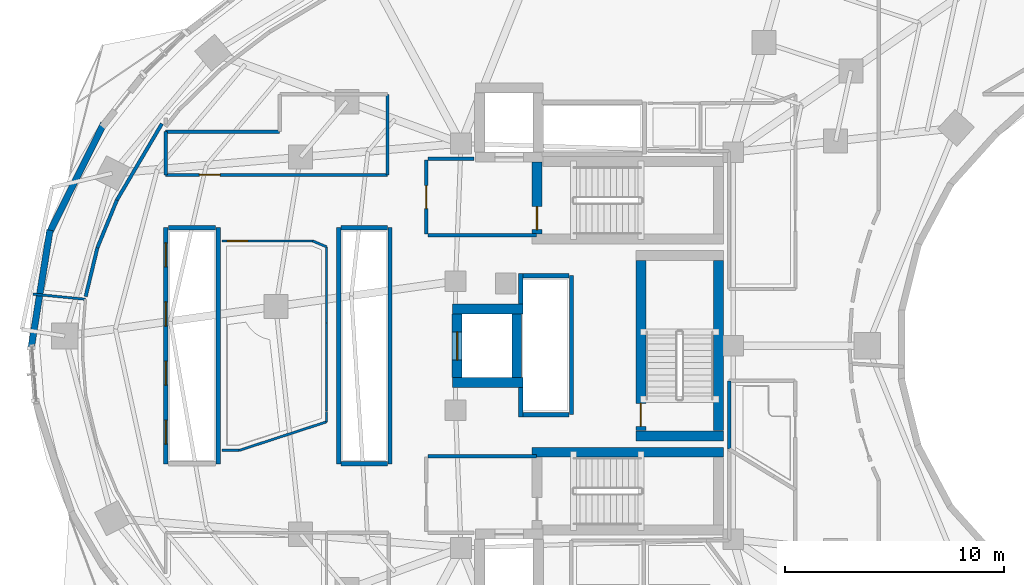
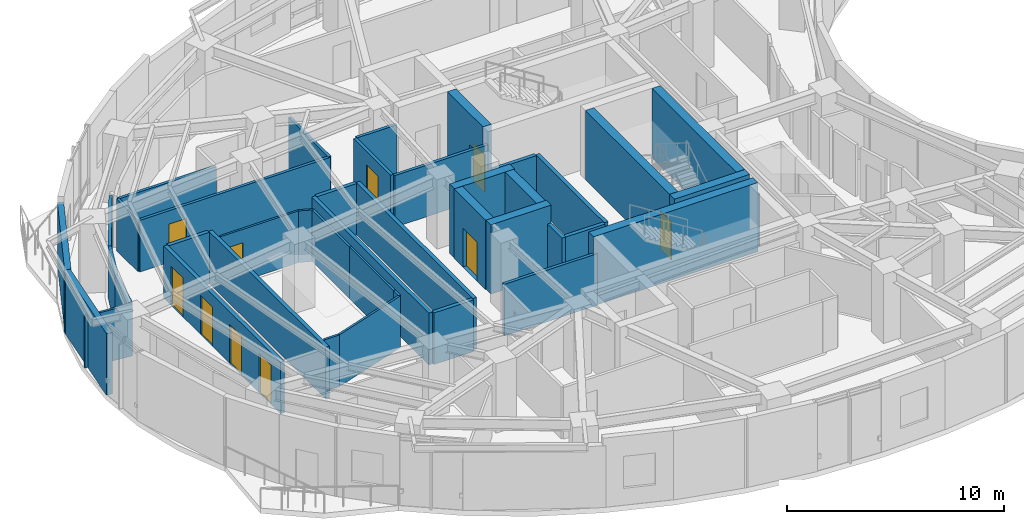
# One storey, part 9 of 15: 43 walls, 10 doors, 10 openings.
"""IFC4 building model written with IfcOpenShell, lengths in metres."""

from ifc_helpers import new_model, si_unit, direction, frame, frame_2d, origin, place, context, subcontext, project, spatial, rectangle, extrude, material, layer, layer_set, type_object, element, fill, save


model = new_model("IFC4")

# Units and contexts
model_context = context("Model", 3, precision=1e-05, world=origin(), true_north=direction((0.0, 1.0)))
body_context = subcontext(model_context, "Body", "Model", "MODEL_VIEW")
ifc_project = project(units=[si_unit("LENGTHUNIT", "METRE"), si_unit("AREAUNIT", "SQUARE_METRE"), si_unit("VOLUMEUNIT", "CUBIC_METRE"), si_unit("PLANEANGLEUNIT", "RADIAN"), si_unit("MASSUNIT", "GRAM", prefix="KILO")], contexts=[model_context])

# Site, building, storey
site_placement = place(None, origin())
site = spatial("IfcSite", under=ifc_project, at=site_placement, CompositionType="ELEMENT")
building_placement = place(site_placement, origin())
building = spatial("IfcBuilding", under=site, at=building_placement, Name="Korentha Bioscience Tower", CompositionType="ELEMENT")
storey_placement = place(building_placement, frame((0.0, 0.0, 98.39990234375)))
storey = spatial("IfcBuildingStorey", under=building, at=storey_placement, Name="L22", CompositionType="ELEMENT", Elevation=98.39990234375)

# Wall, opening, door
ifc_material_1 = material(Name="Double-Stud Acoustic Gypsum", Category="gypsum")
ifc_layer_1 = layer(ifc_material_1, 0.14990234375, Name="Double-Stud Acoustic Gypsum")
ifc_layer_set_1 = layer_set([ifc_layer_1], Name="Double-Stud Acoustic Gypsum (IW-L150)")
wall_type_1 = type_object("IfcWallType", Name="Acoustic Laboratory Partition Wall 150", PredefinedType="PARTITIONING", material=ifc_layer_set_1)
wall_1_placement = place(storey_placement, frame((21.739990234375, 34.81005859375, 0.0), z_axis=(0.0, 0.0, 1.0), x_axis=(-1.0, 0.0, 0.0)))
wall_1 = element("IfcWall", 1, at=wall_1_placement, inside=storey, type_object=wall_type_1, Name="L22 Epidemiology Modelling Studio 10 Entrance Wall", PredefinedType="PARTITIONING", context=body_context, shape_type="SweptSolid", body=[
    extrude(rectangle(XDim=10.14990234375, YDim=0.14990234375, at=frame_2d((5.074951171875, 0.0))), origin(), (0.0, 0.0, 1.0), 2.91015625),
])
opening_1_placement = place(wall_1_placement, frame((7.66162109375, 0.0, 0.0)))
opening_1 = element("IfcOpeningElement", 2, at=opening_1_placement, cuts=wall_1, Name="Opening ID-10R", PredefinedType="OPENING", context=body_context, shape_type="SweptSolid", body=[
    extrude(rectangle(XDim=0.949951171875, YDim=2.14990234375, at=frame_2d((0.47509765625, 1.074951171875))), frame((0.0, 0.08984375, 0.0), z_axis=(0.0, -1.0, 0.0), x_axis=(1.0, 0.0, 0.0)), (0.0, 0.0, 1.0), 0.1796875),
])
ifc_material_2 = material(Name="Phenolic Laminate Timber Core", Category="wood")
door_type_1 = type_object("IfcDoorType", Name="Laboratory Single Leaf Door 950x2150 Right", OperationType="SINGLE_SWING_RIGHT", PredefinedType="DOOR", material=ifc_material_2)
door_1_placement = place(opening_1_placement, origin())
door_1 = element("IfcDoor", 3, at=door_1_placement, inside=storey, type_object=door_type_1, Name="L22 Epidemiology Modelling Studio 10 Door", OperationType="SINGLE_SWING_RIGHT", OverallHeight=2.14990234375, OverallWidth=0.949951171875, PredefinedType="DOOR", context=body_context, shape_type="SweptSolid", body=[
    extrude(rectangle(XDim=0.949951171875, YDim=2.14990234375, at=frame_2d((0.47509765625, 1.074951171875))), frame((0.0, 0.02490234375, 0.0), z_axis=(0.0, -1.0, 0.0), x_axis=(1.0, 0.0, 0.0)), (0.0, 0.0, 1.0), 0.050048828125),
])
fill(opening_1, door_1)

# Walls
wall_2_placement = place(storey_placement, frame((21.739990234375, 38.498046875, 0.0), z_axis=(0.0, 0.0, 1.0), x_axis=(0.0, -1.0, 0.0)))
element("IfcWall", 4, at=wall_2_placement, inside=storey, type_object=wall_type_1, Name="L22 Interior Partition 082", PredefinedType="PARTITIONING", context=body_context, shape_type="SweptSolid", body=[
    extrude(rectangle(XDim=3.68798828125, YDim=0.14990234375, at=frame_2d((1.843994140625, 0.0))), origin(), (0.0, 0.0, 1.0), 2.91015625),
])
wall_3_placement = place(storey_placement, frame((11.590087890625, 34.81005859375, 0.0), z_axis=(0.0, 0.0, 1.0), x_axis=(0.0, 1.0, 0.0)))
element("IfcWall", 5, at=wall_3_placement, inside=storey, type_object=wall_type_1, Name="L22 Interior Partition 083", PredefinedType="PARTITIONING", context=body_context, shape_type="SweptSolid", body=[
    extrude(rectangle(XDim=1.97998046875, YDim=0.14990234375, at=frame_2d((0.989990234375, 0.0))), origin(), (0.0, 0.0, 1.0), 2.91015625),
])
wall_4_placement = place(storey_placement, frame((11.590087890625, 36.7900390625, 0.0), z_axis=(0.0, 0.0, 1.0), x_axis=(1.0, 0.0, 0.0)))
element("IfcWall", 6, at=wall_4_placement, inside=storey, type_object=wall_type_1, Name="L22 Interior Partition 084", PredefinedType="PARTITIONING", context=body_context, shape_type="SweptSolid", body=[
    extrude(rectangle(XDim=5.2099609375, YDim=0.14990234375, at=frame_2d((2.60498046875, 0.0))), origin(), (0.0, 0.0, 1.0), 2.91015625),
])

# Wall, opening, door
ifc_material_3 = material(Name="Fire-Rated Framed Glass", Category="glass")
ifc_layer_2 = layer(ifc_material_3, 0.110107421875, Name="Fire-Rated Framed Glass")
ifc_layer_set_2 = layer_set([ifc_layer_2], Name="Fire-Rated Framed Glass (IW-G110)")
wall_type_2 = type_object("IfcWallType", Name="Demountable Glazed Office Partition 110", PredefinedType="MOVABLE", material=ifc_layer_set_2)
wall_5_placement = place(storey_placement, frame((14.159912109375, 31.7900390625, 0.0), z_axis=(0.0, 0.0, 1.0), x_axis=(1.0, 0.0, 0.0)))
wall_5 = element("IfcWall", 7, at=wall_5_placement, inside=storey, type_object=wall_type_2, Name="L22 Senior Scientist Corner Office 11 Entrance Wall", PredefinedType="MOVABLE", context=body_context, shape_type="SweptSolid", body=[
    extrude(rectangle(XDim=4.158203125, YDim=0.110107421875, at=frame_2d((2.0791015625, 0.0))), origin(), (0.0, 0.0, 1.0), 2.91015625),
])
opening_2_placement = place(wall_5_placement, frame((0.239990234375, 0.0, 0.0)))
opening_2 = element("IfcOpeningElement", 8, at=opening_2_placement, cuts=wall_5, Name="Opening ID-10L", PredefinedType="OPENING", context=body_context, shape_type="SweptSolid", body=[
    extrude(rectangle(XDim=0.949951171875, YDim=2.14990234375, at=frame_2d((0.47509765625, 1.074951171875))), frame((0.0, 0.06982421875, 0.0), z_axis=(0.0, -1.0, 0.0), x_axis=(1.0, 0.0, 0.0)), (0.0, 0.0, 1.0), 0.139892578125),
])
door_type_2 = type_object("IfcDoorType", Name="Laboratory Single Leaf Door 950x2150 Left", OperationType="SINGLE_SWING_LEFT", PredefinedType="DOOR", material=ifc_material_2)
door_2_placement = place(opening_2_placement, origin())
door_2 = element("IfcDoor", 9, at=door_2_placement, inside=storey, type_object=door_type_2, Name="L22 Senior Scientist Corner Office 11 Door", OperationType="SINGLE_SWING_LEFT", OverallHeight=2.14990234375, OverallWidth=0.949951171875, PredefinedType="DOOR", context=body_context, shape_type="SweptSolid", body=[
    extrude(rectangle(XDim=0.949951171875, YDim=2.14990234375, at=frame_2d((0.47509765625, 1.074951171875))), frame((0.0, 0.02490234375, 0.0), z_axis=(0.0, -1.0, 0.0), x_axis=(1.0, 0.0, 0.0)), (0.0, 0.0, 1.0), 0.050048828125),
])
fill(opening_2, door_2)

# Walls
wall_6_placement = place(storey_placement, frame((5.521484375, 29.359619140625, 0.0), z_axis=(0.0, 0.0, 1.0), x_axis=(0.99523083929, -0.097547816614, 0.0)))
element("IfcWall", 10, at=wall_6_placement, inside=storey, type_object=wall_type_2, Name="L22 Interior Partition 019", PredefinedType="MOVABLE", context=body_context, shape_type="SweptSolid", body=[
    extrude(rectangle(XDim=2.41015625, YDim=0.110107421875, at=frame_2d((1.205078125, 0.0))), origin(), (0.0, 0.0, 1.0), 2.91015625),
])
wall_7_placement = place(storey_placement, frame((18.318115234375, 31.7900390625, 0.0), z_axis=(0.0, 0.0, 1.0), x_axis=(0.920523463189, -0.390687283795, 0.0)))
element("IfcWall", 11, at=wall_7_placement, inside=storey, type_object=wall_type_2, Name="L22 Interior Partition 087", PredefinedType="MOVABLE", context=body_context, shape_type="SweptSolid", body=[
    extrude(rectangle(XDim=0.684326171875, YDim=0.110107421875, at=frame_2d((0.34228515625, 0.0))), origin(), (0.0, 0.0, 1.0), 2.91015625),
])
wall_8_placement = place(storey_placement, frame((18.947998046875, 31.5224609375, 0.0), z_axis=(0.0, 0.0, 1.0), x_axis=(0.0, -1.0, 0.0)))
element("IfcWall", 12, at=wall_8_placement, inside=storey, type_object=wall_type_2, Name="L22 Interior Partition 088", PredefinedType="MOVABLE", context=body_context, shape_type="SweptSolid", body=[
    extrude(rectangle(XDim=3.47509765625, YDim=0.110107421875, at=frame_2d((1.737548828125, 0.0))), origin(), (0.0, 0.0, 1.0), 2.91015625),
])
wall_9_placement = place(storey_placement, frame((18.947998046875, 28.04296875, 0.0), z_axis=(0.0, 0.0, 1.0), x_axis=(0.0, -1.0, 0.0)))
element("IfcWall", 13, at=wall_9_placement, inside=storey, type_object=wall_type_2, Name="L22 Interior Partition 089", PredefinedType="MOVABLE", context=body_context, shape_type="SweptSolid", body=[
    extrude(rectangle(XDim=4.040771484375, YDim=0.110107421875, at=frame_2d((2.0205078125, 0.0))), origin(), (0.0, 0.0, 1.0), 2.91015625),
])
wall_10_placement = place(storey_placement, frame((18.947998046875, 23.997802734375, 0.0), z_axis=(0.0, 0.0, 1.0), x_axis=(0.0, -1.0, 0.0)))
element("IfcWall", 14, at=wall_10_placement, inside=storey, type_object=wall_type_2, Name="L22 Interior Partition 090", PredefinedType="MOVABLE", context=body_context, shape_type="SweptSolid", body=[
    extrude(rectangle(XDim=0.479736328125, YDim=0.110107421875, at=frame_2d((0.23974609375, 0.0))), origin(), (0.0, 0.0, 1.0), 2.91015625),
])
wall_11_placement = place(storey_placement, frame((18.947998046875, 23.517822265625, 0.0), z_axis=(0.0, 0.0, 1.0), x_axis=(-0.950522660163, -0.31065523095, 0.0)))
element("IfcWall", 15, at=wall_11_placement, inside=storey, type_object=wall_type_2, Name="L22 Interior Partition 091", PredefinedType="MOVABLE", context=body_context, shape_type="SweptSolid", body=[
    extrude(rectangle(XDim=4.2099609375, YDim=0.110107421875, at=frame_2d((2.10498046875, 0.0))), origin(), (0.0, 0.0, 1.0), 2.91015625),
])
wall_12_placement = place(storey_placement, frame((14.9462890625, 22.2099609375, 0.0), z_axis=(0.0, 0.0, 1.0), x_axis=(-1.0, 0.0, 0.0)))
element("IfcWall", 16, at=wall_12_placement, inside=storey, type_object=wall_type_2, Name="L22 Interior Partition 092", PredefinedType="MOVABLE", context=body_context, shape_type="SweptSolid", body=[
    extrude(rectangle(XDim=0.786376953125, YDim=0.110107421875, at=frame_2d((0.39306640625, 0.0))), origin(), (0.0, 0.0, 1.0), 2.91015625),
])

# Wall, opening, door
ifc_material_4 = material(Name="Gypsum-Clad Steel Stud", Category="steel")
ifc_layer_3 = layer(ifc_material_4, 0.159912109375, Name="Gypsum-Clad Steel Stud")
ifc_layer_set_3 = layer_set([ifc_layer_3], Name="Gypsum-Clad Steel Stud (IW-C160)")
wall_type_3 = type_object("IfcWallType", Name="Fire-Rated Corridor Partition Wall 160", PredefinedType="PARTITIONING", material=ifc_layer_set_3)
wall_13_placement = place(storey_placement, frame((23.5, 32.10009765625, 0.0), z_axis=(0.0, 0.0, 1.0), x_axis=(0.0, 1.0, 0.0)))
wall_13 = element("IfcWall", 17, at=wall_13_placement, inside=storey, type_object=wall_type_3, Name="L22 FFLN-CW Rated Enclosure Wall", PredefinedType="PARTITIONING", context=body_context, shape_type="SweptSolid", body=[
    extrude(rectangle(XDim=3.39990234375, YDim=0.159912109375, at=frame_2d((1.699951171875, 0.0))), origin(), (0.0, 0.0, 1.0), 2.91015625),
])
opening_3_placement = place(wall_13_placement, frame((1.175048828125, 0.0, 0.0)))
opening_3 = element("IfcOpeningElement", 18, at=opening_3_placement, cuts=wall_13, Name="Opening FD-90L", PredefinedType="OPENING", context=body_context, shape_type="SweptSolid", body=[
    extrude(rectangle(XDim=1.050048828125, YDim=2.14990234375, at=frame_2d((0.52490234375, 1.074951171875))), frame((0.0, 0.0947265625, 0.0), z_axis=(0.0, -1.0, 0.0), x_axis=(1.0, 0.0, 0.0)), (0.0, 0.0, 1.0), 0.189697265625),
])
ifc_material_5 = material(Name="Powder-Coated Fire-Rated Steel", Category="steel")
door_type_3 = type_object("IfcDoorType", Name="Stairwell Fire Exit Door 1050x2150 Left", OperationType="SINGLE_SWING_LEFT", PredefinedType="DOOR", material=ifc_material_5)
door_3_placement = place(opening_3_placement, origin())
door_3 = element("IfcDoor", 19, at=door_3_placement, inside=storey, type_object=door_type_3, Name="L22 North Firefighting Lobby Door", OperationType="SINGLE_SWING_LEFT", OverallHeight=2.14990234375, OverallWidth=1.050048828125, PredefinedType="DOOR", context=body_context, shape_type="SweptSolid", body=[
    extrude(rectangle(XDim=1.050048828125, YDim=2.14990234375, at=frame_2d((0.52490234375, 1.074951171875))), frame((0.0, 0.02490234375, 0.0), z_axis=(0.0, -1.0, 0.0), x_axis=(1.0, 0.0, 0.0)), (0.0, 0.0, 1.0), 0.050048828125),
])
fill(opening_3, door_3)

# Walls
wall_14_placement = place(storey_placement, frame((23.580078125, 32.050048828125, 0.0), z_axis=(0.0, 0.0, 1.0), x_axis=(1.0, 0.0, 0.0)))
element("IfcWall", 20, at=wall_14_placement, inside=storey, type_object=wall_type_3, Name="L22 Firefighting Lobby Return Wall FFLN-S", PredefinedType="PARTITIONING", context=body_context, shape_type="SweptSolid", body=[
    extrude(rectangle(XDim=4.969970703125, YDim=0.159912109375, at=frame_2d((2.48486328125, 0.0))), origin(), (0.0, 0.0, 1.0), 2.91015625),
])
wall_15_placement = place(storey_placement, frame((23.580078125, 35.550048828125, 0.0), z_axis=(0.0, 0.0, 1.0), x_axis=(1.0, 0.0, 0.0)))
element("IfcWall", 21, at=wall_15_placement, inside=storey, type_object=wall_type_3, Name="L22 Firefighting Lobby Return Wall FFLN-N", PredefinedType="PARTITIONING", context=body_context, shape_type="SweptSolid", body=[
    extrude(rectangle(XDim=2.119873046875, YDim=0.159912109375, at=frame_2d((1.06005859375, 0.0))), origin(), (0.0, 0.0, 1.0), 2.91015625),
])
wall_16_placement = place(storey_placement, frame((23.580078125, 21.949951171875, 0.0), z_axis=(0.0, 0.0, 1.0), x_axis=(1.0, 0.0, 0.0)))
element("IfcWall", 22, at=wall_16_placement, inside=storey, type_object=wall_type_3, Name="L22 Firefighting Lobby Return Wall FFLS-N", PredefinedType="PARTITIONING", context=body_context, shape_type="SweptSolid", body=[
    extrude(rectangle(XDim=4.969970703125, YDim=0.159912109375, at=frame_2d((2.48486328125, 0.0))), origin(), (0.0, 0.0, 1.0), 2.91015625),
])
wall_17_placement = place(storey_placement, frame((37.360107421875, 22.275634765625, 0.0), z_axis=(0.0, 0.0, 1.0), x_axis=(0.0, 1.0, 0.0)))
element("IfcWall", 23, at=wall_17_placement, inside=storey, type_object=wall_type_3, Name="L22 Interior Partition 051", PredefinedType="PARTITIONING", context=body_context, shape_type="SweptSolid", body=[
    extrude(rectangle(XDim=3.1142578125, YDim=0.159912109375, at=frame_2d((1.55712890625, 0.0))), origin(), (0.0, 0.0, 1.0), 2.91015625),
])
wall_18_placement = place(storey_placement, frame((11.418701171875, 37.154296875, 0.0), z_axis=(0.0, 0.0, 1.0), x_axis=(-0.508183269016, -0.861248956511, 0.0)))
element("IfcWall", 24, at=wall_18_placement, inside=storey, type_object=wall_type_3, Name="L22 Interior Partition 078", PredefinedType="PARTITIONING", context=body_context, shape_type="SweptSolid", body=[
    extrude(rectangle(XDim=4.052734375, YDim=0.159912109375, at=frame_2d((2.0263671875, 0.0))), origin(), (0.0, 0.0, 1.0), 2.91015625),
])
wall_19_placement = place(storey_placement, frame((9.3583984375, 33.66259765625, 0.0), z_axis=(0.0, 0.0, 1.0), x_axis=(-0.378306283753, -0.925680482495, 0.0)))
element("IfcWall", 25, at=wall_19_placement, inside=storey, type_object=wall_type_3, Name="L22 Interior Partition 079", PredefinedType="PARTITIONING", context=body_context, shape_type="SweptSolid", body=[
    extrude(rectangle(XDim=2.358154296875, YDim=0.159912109375, at=frame_2d((1.17919921875, 0.0))), origin(), (0.0, 0.0, 1.0), 2.91015625),
])
wall_20_placement = place(storey_placement, frame((8.4658203125, 31.478515625, 0.0), z_axis=(0.0, 0.0, 1.0), x_axis=(-0.233675196412, -0.972314713754, 0.0)))
element("IfcWall", 26, at=wall_20_placement, inside=storey, type_object=wall_type_3, Name="L22 Interior Partition 080", PredefinedType="PARTITIONING", context=body_context, shape_type="SweptSolid", body=[
    extrude(rectangle(XDim=2.291259765625, YDim=0.159912109375, at=frame_2d((1.1455078125, 0.0))), origin(), (0.0, 0.0, 1.0), 2.91015625),
])
ifc_material_6 = material(Name="Honed Limestone Precast Concrete C40", Category="masonry")
ifc_layer_4 = layer(ifc_material_6, 0.300048828125, Name="Honed Limestone Precast Concrete C40")
ifc_layer_set_4 = layer_set([ifc_layer_4], Name="Honed Limestone Precast Concrete C40 (EW-ST300)")
wall_type_4 = type_object("IfcWallType", Name="Honed Limestone Cavity Spandrel Wall 300", PredefinedType="STANDARD", material=ifc_layer_set_4)
wall_21_placement = place(storey_placement, frame((8.757568359375, 37.16259765625, 0.0), z_axis=(0.0, 0.0, 1.0), x_axis=(-0.445298052399, -0.895382401284, 0.0)))
element("IfcWall", 27, at=wall_21_placement, inside=storey, type_object=wall_type_4, Name="L22 Limestone Perimeter Closure Wall 15", PredefinedType="STANDARD", context=body_context, shape_type="SweptSolid", body=[
    extrude(rectangle(XDim=5.661865234375, YDim=0.300048828125, at=frame_2d((2.8310546875, 0.0))), origin(), (0.0, 0.0, 1.0), 3.47021484375),
])
wall_22_placement = place(storey_placement, frame((6.29736328125, 32.2841796875, 0.0), z_axis=(0.0, 0.0, 1.0), x_axis=(-0.157279785013, -0.987554084203, 0.0)))
element("IfcWall", 28, at=wall_22_placement, inside=storey, type_object=wall_type_4, Name="L22 Limestone Perimeter Closure Wall 17", PredefinedType="STANDARD", context=body_context, shape_type="SweptSolid", body=[
    extrude(rectangle(XDim=5.453125, YDim=0.300048828125, at=frame_2d((2.7265625, 0.0))), origin(), (0.0, 0.0, 1.0), 3.47021484375),
])

# Wall, openings, doors
ifc_material_7 = material(Name="Autoclaved Aerated Concrete Block C25", Category="concrete")
ifc_layer_5 = layer(ifc_material_7, 0.199951171875, Name="Autoclaved Aerated Concrete Block C25")
ifc_layer_set_5 = layer_set([ifc_layer_5], Name="Autoclaved Aerated Concrete Block C25 (IW-S200)")
wall_type_5 = type_object("IfcWallType", Name="Lift and Riser Shaft Enclosure Wall 200", PredefinedType="PARTITIONING", material=ifc_layer_set_5)
wall_23_placement = place(storey_placement, frame((11.60009765625, 21.60009765625, 0.0), z_axis=(0.0, 0.0, 1.0), x_axis=(0.0, 1.0, 0.0)))
wall_23 = element("IfcWall", 29, at=wall_23_placement, inside=storey, type_object=wall_type_5, Name="L22 Lift Bank LOW Shaft Wall -X", PredefinedType="PARTITIONING", context=body_context, shape_type="SweptSolid", body=[
    extrude(rectangle(XDim=10.7998046875, YDim=0.199951171875, at=frame_2d((5.39990234375, 0.0))), origin(), (0.0, 0.0, 1.0), 2.91015625),
])
opening_4_placement = place(wall_23_placement, frame((0.89990234375, 0.0, 0.0)))
opening_4 = element("IfcOpeningElement", 30, at=opening_4_placement, cuts=wall_23, Name="Opening LD-11", PredefinedType="OPENING", context=body_context, shape_type="SweptSolid", body=[
    extrude(rectangle(XDim=1.10009765625, YDim=2.199951171875, at=frame_2d((0.550048828125, 1.10009765625))), frame((0.0, 0.11474609375, 0.0), z_axis=(0.0, -1.0, 0.0), x_axis=(1.0, 0.0, 0.0)), (0.0, 0.0, 1.0), 0.229736328125),
])
opening_5_placement = place(wall_23_placement, frame((3.60009765625, 0.0, 0.0)))
opening_5 = element("IfcOpeningElement", 31, at=opening_5_placement, cuts=wall_23, Name="Opening LD-11", PredefinedType="OPENING", context=body_context, shape_type="SweptSolid", body=[
    extrude(rectangle(XDim=1.10009765625, YDim=2.199951171875, at=frame_2d((0.550048828125, 1.10009765625))), frame((0.0, 0.11474609375, 0.0), z_axis=(0.0, -1.0, 0.0), x_axis=(1.0, 0.0, 0.0)), (0.0, 0.0, 1.0), 0.229736328125),
])
opening_6_placement = place(wall_23_placement, frame((6.300048828125, 0.0, 0.0)))
opening_6 = element("IfcOpeningElement", 32, at=opening_6_placement, cuts=wall_23, Name="Opening LD-11", PredefinedType="OPENING", context=body_context, shape_type="SweptSolid", body=[
    extrude(rectangle(XDim=1.10009765625, YDim=2.199951171875, at=frame_2d((0.550048828125, 1.10009765625))), frame((0.0, 0.11474609375, 0.0), z_axis=(0.0, -1.0, 0.0), x_axis=(1.0, 0.0, 0.0)), (0.0, 0.0, 1.0), 0.229736328125),
])
opening_7_placement = place(wall_23_placement, frame((9.0, 0.0, 0.0)))
opening_7 = element("IfcOpeningElement", 33, at=opening_7_placement, cuts=wall_23, Name="Opening LD-11", PredefinedType="OPENING", context=body_context, shape_type="SweptSolid", body=[
    extrude(rectangle(XDim=1.10009765625, YDim=2.199951171875, at=frame_2d((0.550048828125, 1.10009765625))), frame((0.0, 0.11474609375, 0.0), z_axis=(0.0, -1.0, 0.0), x_axis=(1.0, 0.0, 0.0)), (0.0, 0.0, 1.0), 0.229736328125),
])
ifc_material_8 = material(Name="Brushed Stainless Steel 304", Category="steel")
door_type_4 = type_object("IfcDoorType", Name="Passenger Lift Sliding Landing Door 1100x2200", OperationType="DOUBLE_DOOR_SLIDING", PredefinedType="DOOR", material=ifc_material_8)
door_4_placement = place(opening_4_placement, origin())
door_4 = element("IfcDoor", 34, at=door_4_placement, inside=storey, type_object=door_type_4, Name="L22 PL-L1 Sliding Lift Landing Door", OperationType="DOUBLE_DOOR_SLIDING", OverallHeight=2.199951171875, OverallWidth=1.10009765625, PredefinedType="DOOR", context=body_context, shape_type="SweptSolid", body=[
    extrude(rectangle(XDim=1.10009765625, YDim=2.199951171875, at=frame_2d((0.550048828125, 1.10009765625))), frame((0.0, 0.02490234375, 0.0), z_axis=(0.0, -1.0, 0.0), x_axis=(1.0, 0.0, 0.0)), (0.0, 0.0, 1.0), 0.050048828125),
])
fill(opening_4, door_4)
door_5_placement = place(opening_5_placement, origin())
door_5 = element("IfcDoor", 35, at=door_5_placement, inside=storey, type_object=door_type_4, Name="L22 PL-L2 Sliding Lift Landing Door", OperationType="DOUBLE_DOOR_SLIDING", OverallHeight=2.199951171875, OverallWidth=1.10009765625, PredefinedType="DOOR", context=body_context, shape_type="SweptSolid", body=[
    extrude(rectangle(XDim=1.10009765625, YDim=2.199951171875, at=frame_2d((0.550048828125, 1.10009765625))), frame((0.0, 0.02490234375, 0.0), z_axis=(0.0, -1.0, 0.0), x_axis=(1.0, 0.0, 0.0)), (0.0, 0.0, 1.0), 0.050048828125),
])
fill(opening_5, door_5)
door_6_placement = place(opening_6_placement, origin())
door_6 = element("IfcDoor", 36, at=door_6_placement, inside=storey, type_object=door_type_4, Name="L22 PL-L3 Sliding Lift Landing Door", OperationType="DOUBLE_DOOR_SLIDING", OverallHeight=2.199951171875, OverallWidth=1.10009765625, PredefinedType="DOOR", context=body_context, shape_type="SweptSolid", body=[
    extrude(rectangle(XDim=1.10009765625, YDim=2.199951171875, at=frame_2d((0.550048828125, 1.10009765625))), frame((0.0, 0.02490234375, 0.0), z_axis=(0.0, -1.0, 0.0), x_axis=(1.0, 0.0, 0.0)), (0.0, 0.0, 1.0), 0.050048828125),
])
fill(opening_6, door_6)
door_7_placement = place(opening_7_placement, origin())
door_7 = element("IfcDoor", 37, at=door_7_placement, inside=storey, type_object=door_type_4, Name="L22 PL-L4 Sliding Lift Landing Door", OperationType="DOUBLE_DOOR_SLIDING", OverallHeight=2.199951171875, OverallWidth=1.10009765625, PredefinedType="DOOR", context=body_context, shape_type="SweptSolid", body=[
    extrude(rectangle(XDim=1.10009765625, YDim=2.199951171875, at=frame_2d((0.550048828125, 1.10009765625))), frame((0.0, 0.02490234375, 0.0), z_axis=(0.0, -1.0, 0.0), x_axis=(1.0, 0.0, 0.0)), (0.0, 0.0, 1.0), 0.050048828125),
])
fill(opening_7, door_7)

# Walls
wall_24_placement = place(storey_placement, frame((14.0, 21.60009765625, 0.0), z_axis=(0.0, 0.0, 1.0), x_axis=(0.0, 1.0, 0.0)))
element("IfcWall", 38, at=wall_24_placement, inside=storey, type_object=wall_type_5, Name="L22 Lift Bank LOW Shaft Wall +X", PredefinedType="PARTITIONING", context=body_context, shape_type="SweptSolid", body=[
    extrude(rectangle(XDim=10.7998046875, YDim=0.199951171875, at=frame_2d((5.39990234375, 0.0))), origin(), (0.0, 0.0, 1.0), 2.91015625),
])
wall_25_placement = place(storey_placement, frame((11.719970703125, 32.39990234375, 0.0), z_axis=(0.0, 0.0, 1.0), x_axis=(1.0, 0.0, 0.0)))
element("IfcWall", 39, at=wall_25_placement, inside=storey, type_object=wall_type_5, Name="L22 Lift Bank LOW Shaft Wall +Y", PredefinedType="PARTITIONING", context=body_context, shape_type="SweptSolid", body=[
    extrude(rectangle(XDim=2.159912109375, YDim=0.199951171875, at=frame_2d((1.080078125, 0.0))), origin(), (0.0, 0.0, 1.0), 2.91015625),
])
for number, where, z_axis, x_axis, name in (
    (40, (19.5, 21.60009765625, 0.0), (0.0, 0.0, 1.0), (0.0, 1.0, 0.0), "L22 Lift Bank MID Shaft Wall -X"),
    (41, (21.85009765625, 21.60009765625, 0.0), (0.0, 0.0, 1.0), (0.0, 1.0, 0.0), "L22 Lift Bank MID Shaft Wall +X"),
):
    element("IfcWall", number, at=place(storey_placement, frame(where, z_axis=z_axis, x_axis=x_axis)), inside=storey, type_object=wall_type_5, Name=name, PredefinedType="PARTITIONING", context=body_context, shape_type="SweptSolid", body=[
        extrude(rectangle(XDim=10.7998046875, YDim=0.199951171875, at=frame_2d((5.39990234375, 0.0))), origin(), (0.0, 0.0, 1.0), 2.91015625),
    ])
for number, where, z_axis, x_axis, name in (
    (42, (19.6201171875, 21.60009765625, 0.0), (0.0, 0.0, 1.0), (1.0, 0.0, 0.0), "L22 Lift Bank MID Shaft Wall -Y"),
    (43, (19.6201171875, 32.39990234375, 0.0), (0.0, 0.0, 1.0), (1.0, 0.0, 0.0), "L22 Lift Bank MID Shaft Wall +Y"),
):
    element("IfcWall", number, at=place(storey_placement, frame(where, z_axis=z_axis, x_axis=x_axis)), inside=storey, type_object=wall_type_5, Name=name, PredefinedType="PARTITIONING", context=body_context, shape_type="SweptSolid", body=[
        extrude(rectangle(XDim=2.10986328125, YDim=0.199951171875, at=frame_2d((1.054931640625, 0.0))), origin(), (0.0, 0.0, 1.0), 2.91015625),
    ])
wall_26_placement = place(storey_placement, frame((27.830078125, 23.75, 0.0), z_axis=(0.0, 0.0, 1.0), x_axis=(0.0, 1.0, 0.0)))
element("IfcWall", 44, at=wall_26_placement, inside=storey, type_object=wall_type_5, Name="L22 Lift Bank HIGH Shaft Wall -XS", PredefinedType="PARTITIONING", context=body_context, shape_type="SweptSolid", body=[
    extrude(rectangle(XDim=1.341064453125, YDim=0.199951171875, at=frame_2d((0.67041015625, 0.0))), origin(), (0.0, 0.0, 1.0), 2.91015625),
])
wall_27_placement = place(storey_placement, frame((27.830078125, 28.908935546875, 0.0), z_axis=(0.0, 0.0, 1.0), x_axis=(0.0, 1.0, 0.0)))
element("IfcWall", 45, at=wall_27_placement, inside=storey, type_object=wall_type_5, Name="L22 Lift Bank HIGH Shaft Wall -XN", PredefinedType="PARTITIONING", context=body_context, shape_type="SweptSolid", body=[
    extrude(rectangle(XDim=1.39111328125, YDim=0.199951171875, at=frame_2d((0.695556640625, 0.0))), origin(), (0.0, 0.0, 1.0), 2.91015625),
])
wall_28_placement = place(storey_placement, frame((30.14990234375, 23.85009765625, 0.0), z_axis=(0.0, 0.0, 1.0), x_axis=(0.0, 1.0, 0.0)))
element("IfcWall", 46, at=wall_28_placement, inside=storey, type_object=wall_type_5, Name="L22 Lift Bank HIGH Shaft Wall +X", PredefinedType="PARTITIONING", context=body_context, shape_type="SweptSolid", body=[
    extrude(rectangle(XDim=6.349853515625, YDim=0.199951171875, at=frame_2d((3.1748046875, 0.0))), origin(), (0.0, 0.0, 1.0), 2.91015625),
])
for number, where, z_axis, x_axis, name in (
    (47, (27.93408203125, 23.85009765625, 0.0), (0.0, 0.0, 1.0), (1.0, 0.0, 0.0), "L22 Lift Bank HIGH Shaft Wall -Y"),
    (48, (27.93408203125, 30.199951171875, 0.0), (0.0, 0.0, 1.0), (1.0, 0.0, 0.0), "L22 Lift Bank HIGH Shaft Wall +Y"),
):
    element("IfcWall", number, at=place(storey_placement, frame(where, z_axis=z_axis, x_axis=x_axis)), inside=storey, type_object=wall_type_5, Name=name, PredefinedType="PARTITIONING", context=body_context, shape_type="SweptSolid", body=[
        extrude(rectangle(XDim=2.095947265625, YDim=0.199951171875, at=frame_2d((1.0478515625, 0.0))), origin(), (0.0, 0.0, 1.0), 2.91015625),
    ])

# Wall, opening, door
ifc_material_9 = material(Name="Concrete C80", Category="concrete")
ifc_layer_6 = layer(ifc_material_9, 0.449951171875, Name="Concrete C80")
ifc_layer_set_6 = layer_set([ifc_layer_6], Name="Concrete C80 (CW-C80)")
wall_type_6 = type_object("IfcWallType", Name="Lower Core Shear Wall 450", PredefinedType="SHEAR", material=ifc_layer_set_6)
wall_29_placement = place(storey_placement, frame((28.574951171875, 32.110107421875, 0.0), z_axis=(0.0, 0.0, 1.0), x_axis=(0.0, 1.0, 0.0)))
wall_29 = element("IfcWall", 49, at=wall_29_placement, inside=storey, type_object=wall_type_6, Name="L22 Core Shear Wall ST1-W", PredefinedType="SHEAR", context=body_context, shape_type="SweptSolid", body=[
    extrude(rectangle(XDim=3.282958984375, YDim=0.449951171875, at=frame_2d((1.6416015625, 0.0))), origin(), (0.0, 0.0, 1.0), 3.900146484375),
])
opening_8_placement = place(wall_29_placement, frame((0.199951171875, 0.0, 0.0)))
opening_8 = element("IfcOpeningElement", 50, at=opening_8_placement, cuts=wall_29, Name="Opening FD-90L", PredefinedType="OPENING", context=body_context, shape_type="SweptSolid", body=[
    extrude(rectangle(XDim=1.050048828125, YDim=2.14990234375, at=frame_2d((0.52490234375, 1.074951171875))), frame((0.0, 0.23974609375, 0.0), z_axis=(0.0, -1.0, 0.0), x_axis=(1.0, 0.0, 0.0)), (0.0, 0.0, 1.0), 0.479736328125),
])
door_8_placement = place(opening_8_placement, origin())
door_8 = element("IfcDoor", 51, at=door_8_placement, inside=storey, type_object=door_type_3, Name="L22 ST-1 Fire Exit Stair Door", OperationType="SINGLE_SWING_LEFT", OverallHeight=2.14990234375, OverallWidth=1.050048828125, PredefinedType="DOOR", context=body_context, shape_type="SweptSolid", body=[
    extrude(rectangle(XDim=1.050048828125, YDim=2.14990234375, at=frame_2d((0.52490234375, 1.074951171875))), frame((0.0, 0.02490234375, 0.0), z_axis=(0.0, -1.0, 0.0), x_axis=(1.0, 0.0, 0.0)), (0.0, 0.0, 1.0), 0.050048828125),
])
fill(opening_8, door_8)

# Walls
wall_30_placement = place(storey_placement, frame((28.35009765625, 22.125, 0.0), z_axis=(0.0, 0.0, 1.0), x_axis=(1.0, 0.0, 0.0)))
element("IfcWall", 52, at=wall_30_placement, inside=storey, type_object=wall_type_6, Name="L22 Core Shear Wall ST2-N", PredefinedType="SHEAR", context=body_context, shape_type="SweptSolid", body=[
    extrude(rectangle(XDim=8.75, YDim=0.449951171875, at=frame_2d((4.375, 0.0))), origin(), (0.0, 0.0, 1.0), 3.900146484375),
])
wall_31_placement = place(storey_placement, frame((33.10009765625, 22.875, 0.0), z_axis=(0.0, 0.0, 1.0), x_axis=(1.0, 0.0, 0.0)))
element("IfcWall", 53, at=wall_31_placement, inside=storey, type_object=wall_type_6, Name="L22 Core Shear Wall ST3-S", PredefinedType="SHEAR", context=body_context, shape_type="SweptSolid", body=[
    extrude(rectangle(XDim=4.0, YDim=0.449951171875, at=frame_2d((2.0, 0.0))), origin(), (0.0, 0.0, 1.0), 3.900146484375),
])
wall_32_placement = place(storey_placement, frame((36.875, 23.110107421875, 0.0), z_axis=(0.0, 0.0, 1.0), x_axis=(0.0, 1.0, 0.0)))
element("IfcWall", 54, at=wall_32_placement, inside=storey, type_object=wall_type_6, Name="L22 Core Shear Wall ST3-E", PredefinedType="SHEAR", context=body_context, shape_type="SweptSolid", body=[
    extrude(rectangle(XDim=7.77978515625, YDim=0.449951171875, at=frame_2d((3.889892578125, 0.0))), origin(), (0.0, 0.0, 1.0), 3.900146484375),
])

# Wall, opening, door
wall_33_placement = place(storey_placement, frame((33.324951171875, 23.110107421875, 0.0), z_axis=(0.0, 0.0, 1.0), x_axis=(0.0, 1.0, 0.0)))
wall_33 = element("IfcWall", 55, at=wall_33_placement, inside=storey, type_object=wall_type_6, Name="L22 Core Shear Wall ST3-W", PredefinedType="SHEAR", context=body_context, shape_type="SweptSolid", body=[
    extrude(rectangle(XDim=7.77978515625, YDim=0.449951171875, at=frame_2d((3.889892578125, 0.0))), origin(), (0.0, 0.0, 1.0), 3.900146484375),
])
opening_9_placement = place(wall_33_placement, frame((0.199951171875, 0.0, 0.0)))
opening_9 = element("IfcOpeningElement", 56, at=opening_9_placement, cuts=wall_33, Name="Opening FD-90L", PredefinedType="OPENING", context=body_context, shape_type="SweptSolid", body=[
    extrude(rectangle(XDim=1.050048828125, YDim=2.14990234375, at=frame_2d((0.52490234375, 1.074951171875))), frame((0.0, 0.23974609375, 0.0), z_axis=(0.0, -1.0, 0.0), x_axis=(1.0, 0.0, 0.0)), (0.0, 0.0, 1.0), 0.479736328125),
])
door_9_placement = place(opening_9_placement, origin())
door_9 = element("IfcDoor", 57, at=door_9_placement, inside=storey, type_object=door_type_3, Name="L22 ST-3 Fire Exit Stair Door", OperationType="SINGLE_SWING_LEFT", OverallHeight=2.14990234375, OverallWidth=1.050048828125, PredefinedType="DOOR", context=body_context, shape_type="SweptSolid", body=[
    extrude(rectangle(XDim=1.050048828125, YDim=2.14990234375, at=frame_2d((0.52490234375, 1.074951171875))), frame((0.0, 0.02490234375, 0.0), z_axis=(0.0, -1.0, 0.0), x_axis=(1.0, 0.0, 0.0)), (0.0, 0.0, 1.0), 0.050048828125),
])
fill(opening_9, door_9)

# Walls
for number, where, z_axis, x_axis, name in (
    (58, (24.719970703125, 28.679931640625, 0.0), (0.0, 0.0, 1.0), (1.0, 0.0, 0.0), "L22 Core Shear Wall SVL1-N"),
    (59, (24.719970703125, 25.320068359375, 0.0), (0.0, 0.0, 1.0), (1.0, 0.0, 0.0), "L22 Core Shear Wall SVL1-S"),
):
    element("IfcWall", number, at=place(storey_placement, frame(where, z_axis=z_axis, x_axis=x_axis)), inside=storey, type_object=wall_type_6, Name=name, PredefinedType="SHEAR", context=body_context, shape_type="SweptSolid", body=[
        extrude(rectangle(XDim=3.2099609375, YDim=0.449951171875, at=frame_2d((1.60498046875, 0.0))), origin(), (0.0, 0.0, 1.0), 3.900146484375),
    ])

# Wall, opening, door
wall_34_placement = place(storey_placement, frame((24.919921875, 25.547119140625, 0.0), z_axis=(0.0, 0.0, 1.0), x_axis=(0.0, 1.0, 0.0)))
wall_34 = element("IfcWall", 60, at=wall_34_placement, inside=storey, type_object=wall_type_6, Name="L22 Core Shear Wall SVL1-W", PredefinedType="SHEAR", context=body_context, shape_type="SweptSolid", body=[
    extrude(rectangle(XDim=2.90576171875, YDim=0.449951171875, at=frame_2d((1.452880859375, 0.0))), origin(), (0.0, 0.0, 1.0), 3.900146484375),
])
opening_10_placement = place(wall_34_placement, frame((0.7900390625, 0.0, 0.0)))
opening_10 = element("IfcOpeningElement", 61, at=opening_10_placement, cuts=wall_34, Name="Opening LD-13", PredefinedType="OPENING", context=body_context, shape_type="SweptSolid", body=[
    extrude(rectangle(XDim=1.300048828125, YDim=2.199951171875, at=frame_2d((0.64990234375, 1.10009765625))), frame((0.0, 0.23974609375, 0.0), z_axis=(0.0, -1.0, 0.0), x_axis=(1.0, 0.0, 0.0)), (0.0, 0.0, 1.0), 0.479736328125),
])
ifc_material_10 = material(Name="Brushed Stainless Steel 316", Category="steel")
door_type_5 = type_object("IfcDoorType", Name="Service & Firefighting Lift Landing Door 1300x2300", OperationType="DOUBLE_DOOR_SLIDING", PredefinedType="DOOR", material=ifc_material_10)
door_10_placement = place(opening_10_placement, origin())
door_10 = element("IfcDoor", 62, at=door_10_placement, inside=storey, type_object=door_type_5, Name="L22 SVL-1 Sliding Lift Landing Door", OperationType="DOUBLE_DOOR_SLIDING", OverallHeight=2.199951171875, OverallWidth=1.300048828125, PredefinedType="DOOR", context=body_context, shape_type="SweptSolid", body=[
    extrude(rectangle(XDim=1.300048828125, YDim=2.199951171875, at=frame_2d((0.64990234375, 1.10009765625))), frame((0.0, 0.02490234375, 0.0), z_axis=(0.0, -1.0, 0.0), x_axis=(1.0, 0.0, 0.0)), (0.0, 0.0, 1.0), 0.050048828125),
])
fill(opening_10, door_10)

# Wall
wall_35_placement = place(storey_placement, frame((27.64990234375, 25.547119140625, 0.0), z_axis=(0.0, 0.0, 1.0), x_axis=(0.0, 1.0, 0.0)))
element("IfcWall", 63, at=wall_35_placement, inside=storey, type_object=wall_type_6, Name="L22 Core Shear Wall SVL1-E", PredefinedType="SHEAR", context=body_context, shape_type="SweptSolid", body=[
    extrude(rectangle(XDim=2.90576171875, YDim=0.449951171875, at=frame_2d((1.452880859375, 0.0))), origin(), (0.0, 0.0, 1.0), 3.900146484375),
])

save(model, "model.ifc")
